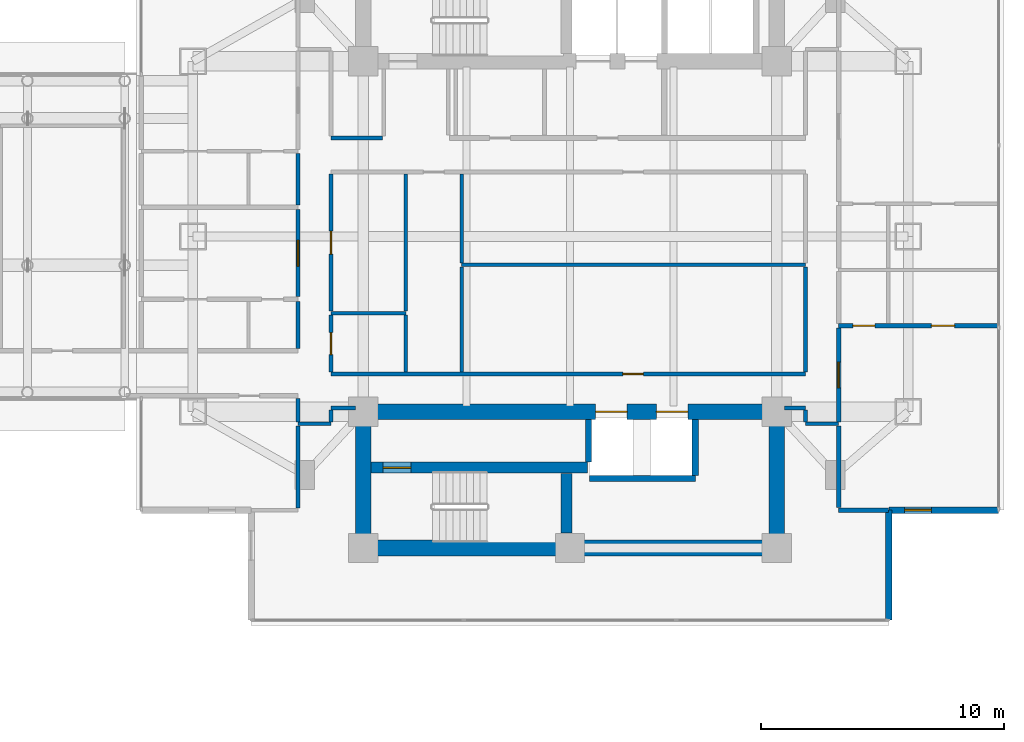
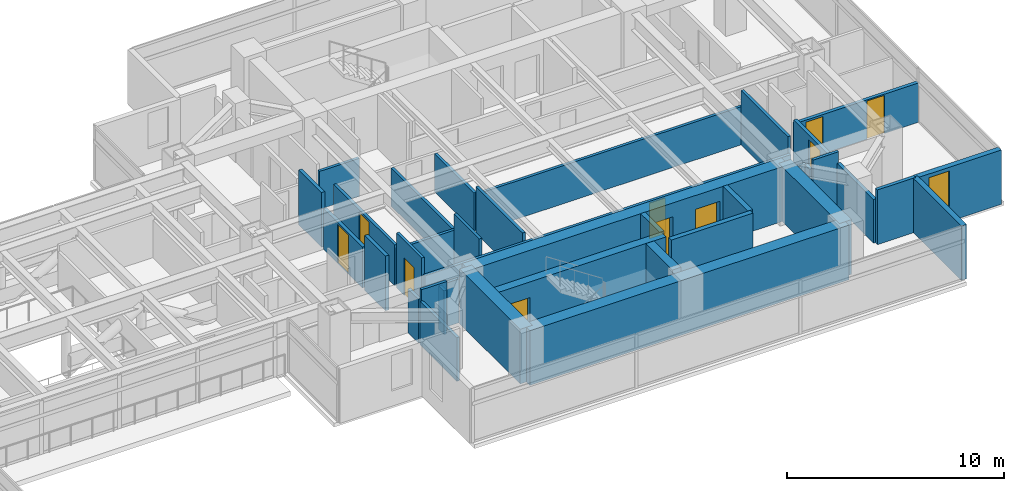
# One storey, part 19 of 27: 37 walls, 10 doors, 1 window, 11 openings.
"""IFC4 building model written with IfcOpenShell, lengths in metres."""

from ifc_helpers import new_model, si_unit, direction, frame, frame_2d, origin, place, context, subcontext, project, spatial, rectangle, extrude, material, layer, layer_set, type_object, element, fill, save


model = new_model("IFC4")

# Units and contexts
model_context = context("Model", 3, precision=1e-05, world=origin(), true_north=direction((0.0, 1.0)))
body_context = subcontext(model_context, "Body", "Model", "MODEL_VIEW")
ifc_project = project(units=[si_unit("LENGTHUNIT", "METRE"), si_unit("AREAUNIT", "SQUARE_METRE"), si_unit("VOLUMEUNIT", "CUBIC_METRE"), si_unit("PLANEANGLEUNIT", "RADIAN"), si_unit("MASSUNIT", "GRAM", prefix="KILO")], contexts=[model_context])

# Site, building, storey
site_placement = place(None, origin())
site = spatial("IfcSite", under=ifc_project, at=site_placement, CompositionType="ELEMENT")
building_placement = place(site_placement, origin())
building = spatial("IfcBuilding", under=site, at=building_placement, Name="Mirazonda Arch Towers", CompositionType="ELEMENT")
storey_placement = place(building_placement, frame((0.0, 0.0, 95.0)))
storey = spatial("IfcBuildingStorey", under=building, at=storey_placement, Name="L26", CompositionType="ELEMENT", Elevation=95.0)

# Wall, opening, door
ifc_material_1 = material(Name="Concrete C50/60", Category="concrete")
ifc_layer_1 = layer(ifc_material_1, 0.449951171875, Name="WALL-CORE-450")
ifc_layer_set_1 = layer_set([ifc_layer_1], Name="Concrete C50/60")
wall_type_1 = type_object("IfcWallType", Name="WALL-CORE-450", PredefinedType="SHEAR", material=ifc_layer_set_1)
wall_1_placement = place(storey_placement, frame((68.320068359375, 18.5, 0.0), z_axis=(0.0, 0.0, 1.0), x_axis=(1.0, 0.0, 0.0)))
wall_1 = element("IfcWall", 1, at=wall_1_placement, inside=storey, type_object=wall_type_1, Name="L26 Stair Core Shear Wall 014", PredefinedType="SHEAR", context=body_context, shape_type="SweptSolid", body=[
    extrude(rectangle(XDim=8.89990234375, YDim=0.449951171875, at=frame_2d((4.449951171875, 0.0))), origin(), (0.0, 0.0, 1.0), 3.080078125),
])
opening_1_placement = place(wall_1_placement, frame((0.4951171875, 0.0, 0.0)))
opening_1 = element("IfcOpeningElement", 2, at=opening_1_placement, cuts=wall_1, Name="Opening DR-135", PredefinedType="OPENING", context=body_context, shape_type="SweptSolid", body=[
    extrude(rectangle(XDim=1.14990234375, YDim=2.199951171875, at=frame_2d((0.574951171875, 1.10009765625))), frame((0.0, 0.23486328125, 0.0), z_axis=(0.0, -1.0, 0.0), x_axis=(1.0, 0.0, 0.0)), (0.0, 0.0, 1.0), 0.469970703125),
])
ifc_material_2 = material(Name="Architectural Brushed Steel S355", Category="steel")
door_type_1 = type_object("IfcDoorType", Name="DOOR-STAIR-FD90-1150", OperationType="NOTDEFINED", PredefinedType="DOOR", material=ifc_material_2)
door_1_placement = place(opening_1_placement, origin())
door_1 = element("IfcDoor", 3, at=door_1_placement, inside=storey, type_object=door_type_1, Name="L26 East Protected Stair South Door", OperationType="SINGLE_SWING_LEFT", OverallHeight=2.199951171875, OverallWidth=1.14990234375, PredefinedType="DOOR", context=body_context, shape_type="SweptSolid", body=[
    extrude(rectangle(XDim=1.14990234375, YDim=2.199951171875, at=frame_2d((0.574951171875, 1.10009765625))), frame((0.0, 0.02490234375, 0.0), z_axis=(0.0, -1.0, 0.0), x_axis=(1.0, 0.0, 0.0)), (0.0, 0.0, 1.0), 0.050048828125),
])
fill(opening_1, door_1)

# Walls
wall_2_placement = place(storey_placement, frame((76.360107421875, 15.81494140625, 0.0), z_axis=(0.0, 0.0, 1.0), x_axis=(0.0, 1.0, 0.0)))
element("IfcWall", 4, at=wall_2_placement, inside=storey, type_object=wall_type_1, Name="L26 Stair Core Shear Wall 160", PredefinedType="SHEAR", context=body_context, shape_type="SweptSolid", body=[
    extrude(rectangle(XDim=2.449951171875, YDim=0.449951171875, at=frame_2d((1.22509765625, 0.0))), origin(), (0.0, 0.0, 1.0), 3.080078125),
])
ifc_material_3 = material(Name="Concrete C60/75", Category="concrete")
ifc_layer_2 = layer(ifc_material_3, 0.64990234375, Name="WALL-CORE-650")
ifc_layer_set_2 = layer_set([ifc_layer_2], Name="Concrete C60/75")
wall_type_2 = type_object("IfcWallType", Name="WALL-CORE-650", PredefinedType="SHEAR", material=ifc_layer_set_2)
wall_3_placement = place(storey_placement, frame((68.0, 15.199951171875, 0.0), z_axis=(0.0, 0.0, 1.0), x_axis=(1.0, 0.0, 0.0)))
element("IfcWall", 5, at=wall_3_placement, inside=storey, type_object=wall_type_2, Name="L26 T2S-S Core Shear Wall", PredefinedType="SHEAR", context=body_context, shape_type="SweptSolid", body=[
    extrude(rectangle(XDim=17.0, YDim=0.64990234375, at=frame_2d((8.5, 0.0))), origin(), (0.0, 0.0, 1.0), 3.080078125),
])
for number, where, z_axis, x_axis, name in (
    (6, (68.0, 15.199951171875, 0.0), (0.0, 0.0, 1.0), (0.0, 1.0, 0.0), "L26 T2S-W Core Shear Wall"),
    (7, (85.0, 15.199951171875, 0.0), (0.0, 0.0, 1.0), (0.0, 1.0, 0.0), "L26 T2S-E Core Shear Wall"),
):
    element("IfcWall", number, at=place(storey_placement, frame(where, z_axis=z_axis, x_axis=x_axis)), inside=storey, type_object=wall_type_2, Name=name, PredefinedType="SHEAR", context=body_context, shape_type="SweptSolid", body=[
        extrude(rectangle(XDim=5.60009765625, YDim=0.64990234375, at=frame_2d((2.800048828125, 0.0))), origin(), (0.0, 0.0, 1.0), 3.080078125),
    ])

# Wall, openings, doors
wall_4_placement = place(storey_placement, frame((68.0, 20.800048828125, 0.0), z_axis=(0.0, 0.0, 1.0), x_axis=(1.0, 0.0, 0.0)))
wall_4 = element("IfcWall", 8, at=wall_4_placement, inside=storey, type_object=wall_type_2, Name="L26 T2S-N Core Shear Wall", PredefinedType="SHEAR", context=body_context, shape_type="SweptSolid", body=[
    extrude(rectangle(XDim=17.0, YDim=0.64990234375, at=frame_2d((8.5, 0.0))), origin(), (0.0, 0.0, 1.0), 3.080078125),
])
opening_2_placement = place(wall_4_placement, frame((9.550048828125, 0.0, 0.0)))
opening_2 = element("IfcOpeningElement", 9, at=opening_2_placement, cuts=wall_4, Name="Opening LD-111", PredefinedType="OPENING", context=body_context, shape_type="SweptSolid", body=[
    extrude(rectangle(XDim=1.300048828125, YDim=2.300048828125, at=frame_2d((0.64990234375, 1.14990234375))), frame((0.0, 0.3349609375, 0.0), z_axis=(0.0, -1.0, 0.0), x_axis=(1.0, 0.0, 0.0)), (0.0, 0.0, 1.0), 0.669921875),
])
opening_3_placement = place(wall_4_placement, frame((12.050048828125, 0.0, 0.0)))
opening_3 = element("IfcOpeningElement", 10, at=opening_3_placement, cuts=wall_4, Name="Opening LD-111", PredefinedType="OPENING", context=body_context, shape_type="SweptSolid", body=[
    extrude(rectangle(XDim=1.300048828125, YDim=2.300048828125, at=frame_2d((0.64990234375, 1.14990234375))), frame((0.0, 0.3349609375, 0.0), z_axis=(0.0, -1.0, 0.0), x_axis=(1.0, 0.0, 0.0)), (0.0, 0.0, 1.0), 0.669921875),
])
door_type_2 = type_object("IfcDoorType", Name="DOOR-LIFT-LAND-1300", OperationType="NOTDEFINED", PredefinedType="DOOR", material=ifc_material_2)
door_2_placement = place(opening_2_placement, origin())
door_2 = element("IfcDoor", 11, at=door_2_placement, inside=storey, type_object=door_type_2, Name="L26 Lift Landing Sliding Door PL-T2H1", OperationType="DOUBLE_DOOR_SLIDING", OverallHeight=2.300048828125, OverallWidth=1.300048828125, PredefinedType="DOOR", context=body_context, shape_type="SweptSolid", body=[
    extrude(rectangle(XDim=1.300048828125, YDim=2.300048828125, at=frame_2d((0.64990234375, 1.14990234375))), frame((0.0, 0.02490234375, 0.0), z_axis=(0.0, -1.0, 0.0), x_axis=(1.0, 0.0, 0.0)), (0.0, 0.0, 1.0), 0.050048828125),
])
fill(opening_2, door_2)
door_3_placement = place(opening_3_placement, origin())
door_3 = element("IfcDoor", 12, at=door_3_placement, inside=storey, type_object=door_type_2, Name="L26 Lift Landing Sliding Door PL-T2H2", OperationType="DOUBLE_DOOR_SLIDING", OverallHeight=2.300048828125, OverallWidth=1.300048828125, PredefinedType="DOOR", context=body_context, shape_type="SweptSolid", body=[
    extrude(rectangle(XDim=1.300048828125, YDim=2.300048828125, at=frame_2d((0.64990234375, 1.14990234375))), frame((0.0, 0.02490234375, 0.0), z_axis=(0.0, -1.0, 0.0), x_axis=(1.0, 0.0, 0.0)), (0.0, 0.0, 1.0), 0.050048828125),
])
fill(opening_3, door_3)

# Wall, opening, window
ifc_material_4 = material(Name="Precast Concrete C40/50", Category="concrete")
ifc_layer_3 = layer(ifc_material_4, 0.280029296875, Name="WALL-EXT-WALL-280")
ifc_layer_set_3 = layer_set([ifc_layer_3], Name="Precast Concrete C40/50")
wall_type_3 = type_object("IfcWallType", Name="WALL-EXT-WALL-280", PredefinedType="SOLIDWALL", material=ifc_layer_set_3)
wall_5_placement = place(storey_placement, frame((89.602294921875, 16.752197265625, 0.0), z_axis=(0.0, 0.0, 1.0), x_axis=(1.0, 0.0, 0.0)))
wall_5 = element("IfcWall", 13, at=wall_5_placement, inside=storey, type_object=wall_type_3, Name="L26 T2 Corner Notch Return Wall WL-L26-T2-CSE1", PredefinedType="SOLIDWALL", context=body_context, shape_type="SweptSolid", body=[
    extrude(rectangle(XDim=4.51611328125, YDim=0.280029296875, at=frame_2d((2.258056640625, 0.0))), origin(), (0.0, 0.0, 1.0), 3.06005859375),
])
opening_4_placement = place(wall_5_placement, frame((0.64990234375, 0.0, 0.85009765625)))
opening_4 = element("IfcOpeningElement", 14, at=opening_4_placement, cuts=wall_5, Name="Opening WN-108", PredefinedType="OPENING", context=body_context, shape_type="SweptSolid", body=[
    extrude(rectangle(XDim=1.10009765625, YDim=2.0, at=frame_2d((0.550048828125, 1.0))), frame((0.0, 0.14990234375, 0.0), z_axis=(0.0, -1.0, 0.0), x_axis=(1.0, 0.0, 0.0)), (0.0, 0.0, 1.0), 0.300048828125),
])
ifc_material_5 = material(Name="Insulated Low-E Solar Glass", Category="glass")
window_type = type_object("IfcWindowType", Name="WIN-NOTCH-1100x2000", PartitioningType="SINGLE_PANEL", PredefinedType="WINDOW", material=ifc_material_5)
window_placement = place(opening_4_placement, origin())
window = element("IfcWindow", 15, at=window_placement, inside=storey, type_object=window_type, Name="L26 Punched Facade Window WN-L26-T2-CSE1", OverallHeight=2.0, OverallWidth=1.10009765625, PartitioningType="SINGLE_PANEL", PredefinedType="WINDOW", context=body_context, shape_type="SweptSolid", body=[
    extrude(rectangle(XDim=1.10009765625, YDim=2.0, at=frame_2d((0.550048828125, 1.0))), frame((0.0, 0.030029296875, 0.0), z_axis=(0.0, -1.0, 0.0), x_axis=(1.0, 0.0, 0.0)), (0.0, 0.0, 1.0), 0.06005859375),
])
fill(opening_4, window)

# Walls
wall_6_placement = place(storey_placement, frame((89.602294921875, 12.23583984375, 0.0), z_axis=(0.0, 0.0, 1.0), x_axis=(0.0, 1.0, 0.0)))
element("IfcWall", 16, at=wall_6_placement, inside=storey, type_object=wall_type_3, Name="L26 T2 Corner Notch Return Wall WL-L26-T2-CSE2", PredefinedType="SOLIDWALL", context=body_context, shape_type="SweptSolid", body=[
    extrude(rectangle(XDim=4.516357421875, YDim=0.280029296875, at=frame_2d((2.25830078125, 0.0))), origin(), (0.0, 0.0, 1.0), 3.06005859375),
])
ifc_material_6 = material(Name="Fire-Rated Gypsum Stud Partition")
ifc_layer_4 = layer(ifc_material_6, 0.14990234375, Name="WALL-PART-CORR-150")
ifc_layer_set_4 = layer_set([ifc_layer_4], Name="Fire-Rated Gypsum Stud Partition")
wall_type_4 = type_object("IfcWallType", Name="WALL-PART-CORR-150", PredefinedType="PARTITIONING", material=ifc_layer_set_4)
wall_7_placement = place(storey_placement, frame((65.320068359375, 20.300048828125, 0.0), z_axis=(0.0, 0.0, 1.0), x_axis=(1.0, 0.0, 0.0)))
element("IfcWall", 17, at=wall_7_placement, inside=storey, type_object=wall_type_4, Name="L26 Interior Partition 017", PredefinedType="PARTITIONING", context=body_context, shape_type="SweptSolid", body=[
    extrude(rectangle(XDim=1.35986328125, YDim=0.14990234375, at=frame_2d((0.679931640625, 0.0))), origin(), (0.0, 0.0, 1.0), 3.080078125),
])
wall_8_placement = place(storey_placement, frame((86.179931640625, 20.300048828125, 0.0), z_axis=(0.0, 0.0, 1.0), x_axis=(1.0, 0.0, 0.0)))
element("IfcWall", 18, at=wall_8_placement, inside=storey, type_object=wall_type_4, Name="L26 Interior Partition 018", PredefinedType="PARTITIONING", context=body_context, shape_type="SweptSolid", body=[
    extrude(rectangle(XDim=1.360107421875, YDim=0.14990234375, at=frame_2d((0.68017578125, 0.0))), origin(), (0.0, 0.0, 1.0), 3.080078125),
])
wall_9_placement = place(storey_placement, frame((66.679931640625, 20.949951171875, 0.0), z_axis=(0.0, 0.0, 1.0), x_axis=(1.0, 0.0, 0.0)))
element("IfcWall", 19, at=wall_9_placement, inside=storey, type_object=wall_type_4, Name="L26 Interior Partition 020", PredefinedType="PARTITIONING", context=body_context, shape_type="SweptSolid", body=[
    extrude(rectangle(XDim=1.0, YDim=0.14990234375, at=frame_2d((0.5, 0.0))), origin(), (0.0, 0.0, 1.0), 2.471923828125),
])
wall_10_placement = place(storey_placement, frame((85.320068359375, 20.949951171875, 0.0), z_axis=(0.0, 0.0, 1.0), x_axis=(1.0, 0.0, 0.0)))
element("IfcWall", 20, at=wall_10_placement, inside=storey, type_object=wall_type_4, Name="L26 Interior Partition 021", PredefinedType="PARTITIONING", context=body_context, shape_type="SweptSolid", body=[
    extrude(rectangle(XDim=0.85986328125, YDim=0.14990234375, at=frame_2d((0.429931640625, 0.0))), origin(), (0.0, 0.0, 1.0), 2.471923828125),
])

# Wall, opening, door
wall_11_placement = place(storey_placement, frame((66.679931640625, 22.35009765625, 0.0), z_axis=(0.0, 0.0, 1.0), x_axis=(1.0, 0.0, 0.0)))
wall_11 = element("IfcWall", 21, at=wall_11_placement, inside=storey, type_object=wall_type_4, Name="L26 Interior Partition 024", PredefinedType="PARTITIONING", context=body_context, shape_type="SweptSolid", body=[
    extrude(rectangle(XDim=19.5, YDim=0.14990234375, at=frame_2d((9.75, 0.0))), origin(), (0.0, 0.0, 1.0), 2.14501953125),
])
opening_5_placement = place(wall_11_placement, frame((11.989990234375, 0.0, 0.0)))
opening_5 = element("IfcOpeningElement", 22, at=opening_5_placement, cuts=wall_11, Name="Opening DR-128", PredefinedType="OPENING", context=body_context, shape_type="SweptSolid", body=[
    extrude(rectangle(XDim=0.85009765625, YDim=2.010009765625, at=frame_2d((0.425048828125, 1.0048828125))), frame((0.0, 0.0849609375, 0.0), z_axis=(0.0, -1.0, 0.0), x_axis=(1.0, 0.0, 0.0)), (0.0, 0.0, 1.0), 0.169921875),
])
door_type_3 = type_object("IfcDoorType", Name="DOOR-RISER-FD60-850", OperationType="NOTDEFINED", PredefinedType="DOOR", material=ifc_material_2)
door_4_placement = place(opening_5_placement, origin())
door_4 = element("IfcDoor", 23, at=door_4_placement, inside=storey, type_object=door_type_3, Name="L26 Business Reading Study Door", OperationType="SINGLE_SWING_LEFT", OverallHeight=2.010009765625, OverallWidth=0.85009765625, PredefinedType="DOOR", context=body_context, shape_type="SweptSolid", body=[
    extrude(rectangle(XDim=0.85009765625, YDim=2.010009765625, at=frame_2d((0.425048828125, 1.0048828125))), frame((0.0, 0.02490234375, 0.0), z_axis=(0.0, -1.0, 0.0), x_axis=(1.0, 0.0, 0.0)), (0.0, 0.0, 1.0), 0.050048828125),
])
fill(opening_5, door_4)

# Walls
wall_12_placement = place(storey_placement, frame((66.679931640625, 24.85009765625, 0.0), z_axis=(0.0, 0.0, 1.0), x_axis=(1.0, 0.0, 0.0)))
element("IfcWall", 24, at=wall_12_placement, inside=storey, type_object=wall_type_4, Name="L26 Interior Partition 029", PredefinedType="PARTITIONING", context=body_context, shape_type="SweptSolid", body=[
    extrude(rectangle(XDim=3.070068359375, YDim=0.14990234375, at=frame_2d((1.53515625, 0.0))), origin(), (0.0, 0.0, 1.0), 2.14501953125),
])
wall_13_placement = place(storey_placement, frame((72.050048828125, 26.83203125, 0.0), z_axis=(0.0, 0.0, 1.0), x_axis=(1.0, 0.0, 0.0)))
element("IfcWall", 25, at=wall_13_placement, inside=storey, type_object=wall_type_4, Name="L26 Interior Partition 035", PredefinedType="PARTITIONING", context=body_context, shape_type="SweptSolid", body=[
    extrude(rectangle(XDim=14.1298828125, YDim=0.14990234375, at=frame_2d((7.06494140625, 0.0))), origin(), (0.0, 0.0, 1.0), 2.14501953125),
])
wall_14_placement = place(storey_placement, frame((66.679931640625, 32.050048828125, 0.0), z_axis=(0.0, 0.0, 1.0), x_axis=(1.0, 0.0, 0.0)))
element("IfcWall", 26, at=wall_14_placement, inside=storey, type_object=wall_type_4, Name="L26 Interior Partition 046", PredefinedType="PARTITIONING", context=body_context, shape_type="SweptSolid", body=[
    extrude(rectangle(XDim=2.1201171875, YDim=0.14990234375, at=frame_2d((1.06005859375, 0.0))), origin(), (0.0, 0.0, 1.0), 2.14501953125),
])
wall_15_placement = place(storey_placement, frame((65.320068359375, 16.8369140625, 0.0), z_axis=(0.0, 0.0, 1.0), x_axis=(0.0, 1.0, 0.0)))
element("IfcWall", 27, at=wall_15_placement, inside=storey, type_object=wall_type_4, Name="L26 Interior Partition 141", PredefinedType="PARTITIONING", context=body_context, shape_type="SweptSolid", body=[
    extrude(rectangle(XDim=3.378173828125, YDim=0.14990234375, at=frame_2d((1.68896484375, 0.0))), origin(), (0.0, 0.0, 1.0), 2.4560546875),
])
wall_16_placement = place(storey_placement, frame((65.320068359375, 20.385009765625, 0.0), z_axis=(0.0, 0.0, 1.0), x_axis=(0.0, 1.0, 0.0)))
element("IfcWall", 28, at=wall_16_placement, inside=storey, type_object=wall_type_4, Name="L26 Interior Partition 142", PredefinedType="PARTITIONING", context=body_context, shape_type="SweptSolid", body=[
    extrude(rectangle(XDim=0.965087890625, YDim=0.14990234375, at=frame_2d((0.482421875, 0.0))), origin(), (0.0, 0.0, 1.0), 2.471923828125),
])
wall_17_placement = place(storey_placement, frame((66.679931640625, 20.385009765625, 0.0), z_axis=(0.0, 0.0, 1.0), x_axis=(0.0, 1.0, 0.0)))
element("IfcWall", 29, at=wall_17_placement, inside=storey, type_object=wall_type_4, Name="L26 Interior Partition 148", PredefinedType="PARTITIONING", context=body_context, shape_type="SweptSolid", body=[
    extrude(rectangle(XDim=0.47998046875, YDim=0.14990234375, at=frame_2d((0.239990234375, 0.0))), origin(), (0.0, 0.0, 1.0), 2.471923828125),
])

# Wall, opening, door
wall_18_placement = place(storey_placement, frame((66.679931640625, 22.43505859375, 0.0), z_axis=(0.0, 0.0, 1.0), x_axis=(0.0, 1.0, 0.0)))
wall_18 = element("IfcWall", 30, at=wall_18_placement, inside=storey, type_object=wall_type_4, Name="L26 Interior Partition 149", PredefinedType="PARTITIONING", context=body_context, shape_type="SweptSolid", body=[
    extrude(rectangle(XDim=2.329833984375, YDim=0.14990234375, at=frame_2d((1.1650390625, 0.0))), origin(), (0.0, 0.0, 1.0), 3.080078125),
])
opening_6_placement = place(wall_18_placement, frame((0.715087890625, 0.0, 0.0)))
opening_6 = element("IfcOpeningElement", 31, at=opening_6_placement, cuts=wall_18, Name="Opening DR-120", PredefinedType="OPENING", context=body_context, shape_type="SweptSolid", body=[
    extrude(rectangle(XDim=0.89990234375, YDim=2.10009765625, at=frame_2d((0.449951171875, 1.050048828125))), frame((0.0, 0.0849609375, 0.0), z_axis=(0.0, -1.0, 0.0), x_axis=(1.0, 0.0, 0.0)), (0.0, 0.0, 1.0), 0.169921875),
])
door_type_4 = type_object("IfcDoorType", Name="DOOR-WC-900", OperationType="NOTDEFINED", PredefinedType="DOOR", material=ifc_material_2)
door_5_placement = place(opening_6_placement, origin())
door_5 = element("IfcDoor", 32, at=door_5_placement, inside=storey, type_object=door_type_4, Name="L26 Tower 2 Common Accessible WC Door", OperationType="SINGLE_SWING_RIGHT", OverallHeight=2.10009765625, OverallWidth=0.89990234375, PredefinedType="DOOR", context=body_context, shape_type="SweptSolid", body=[
    extrude(rectangle(XDim=0.89990234375, YDim=2.10009765625, at=frame_2d((0.449951171875, 1.050048828125))), frame((0.0, 0.02490234375, 0.0), z_axis=(0.0, -1.0, 0.0), x_axis=(1.0, 0.0, 0.0)), (0.0, 0.0, 1.0), 0.050048828125),
])
fill(opening_6, door_5)

wall_19_placement = place(storey_placement, frame((66.679931640625, 24.93505859375, 0.0), z_axis=(0.0, 0.0, 1.0), x_axis=(0.0, 1.0, 0.0)))
wall_19 = element("IfcWall", 33, at=wall_19_placement, inside=storey, type_object=wall_type_4, Name="L26 Interior Partition 150", PredefinedType="PARTITIONING", context=body_context, shape_type="SweptSolid", body=[
    extrude(rectangle(XDim=5.6298828125, YDim=0.14990234375, at=frame_2d((2.81494140625, 0.0))), origin(), (0.0, 0.0, 1.0), 2.299072265625),
])
opening_7_placement = place(wall_19_placement, frame((2.340087890625, 0.0, 0.0)))
opening_7 = element("IfcOpeningElement", 34, at=opening_7_placement, cuts=wall_19, Name="Opening DR-104", PredefinedType="OPENING", context=body_context, shape_type="SweptSolid", body=[
    extrude(rectangle(XDim=0.949951171875, YDim=2.14990234375, at=frame_2d((0.47509765625, 1.074951171875))), frame((0.0, 0.0849609375, 0.0), z_axis=(0.0, -1.0, 0.0), x_axis=(1.0, 0.0, 0.0)), (0.0, 0.0, 1.0), 0.169921875),
])
door_type_5 = type_object("IfcDoorType", Name="DOOR-ROOM-950", OperationType="NOTDEFINED", PredefinedType="DOOR", material=ifc_material_2)
door_6_placement = place(opening_7_placement, origin())
door_6 = element("IfcDoor", 35, at=door_6_placement, inside=storey, type_object=door_type_5, Name="L26 L26 East Courtyard Reading Study Door", OperationType="SINGLE_SWING_LEFT", OverallHeight=2.14990234375, OverallWidth=0.949951171875, PredefinedType="DOOR", context=body_context, shape_type="SweptSolid", body=[
    extrude(rectangle(XDim=0.949951171875, YDim=2.14990234375, at=frame_2d((0.47509765625, 1.074951171875))), frame((0.0, 0.02490234375, 0.0), z_axis=(0.0, -1.0, 0.0), x_axis=(1.0, 0.0, 0.0)), (0.0, 0.0, 1.0), 0.050048828125),
])
fill(opening_7, door_6)

# Walls
wall_20_placement = place(storey_placement, frame((69.743408203125, 22.43505859375, 0.0), z_axis=(0.0, 0.0, 1.0), x_axis=(0.0, 1.0, 0.0)))
element("IfcWall", 36, at=wall_20_placement, inside=storey, type_object=wall_type_4, Name="L26 Interior Partition 153", PredefinedType="PARTITIONING", context=body_context, shape_type="SweptSolid", body=[
    extrude(rectangle(XDim=2.329833984375, YDim=0.14990234375, at=frame_2d((1.1650390625, 0.0))), origin(), (0.0, 0.0, 1.0), 3.080078125),
])
wall_21_placement = place(storey_placement, frame((69.743408203125, 24.93505859375, 0.0), z_axis=(0.0, 0.0, 1.0), x_axis=(0.0, 1.0, 0.0)))
element("IfcWall", 37, at=wall_21_placement, inside=storey, type_object=wall_type_4, Name="L26 Interior Partition 154", PredefinedType="PARTITIONING", context=body_context, shape_type="SweptSolid", body=[
    extrude(rectangle(XDim=5.6298828125, YDim=0.14990234375, at=frame_2d((2.81494140625, 0.0))), origin(), (0.0, 0.0, 1.0), 2.14501953125),
])
wall_22_placement = place(storey_placement, frame((72.050048828125, 22.43505859375, 0.0), z_axis=(0.0, 0.0, 1.0), x_axis=(0.0, 1.0, 0.0)))
element("IfcWall", 38, at=wall_22_placement, inside=storey, type_object=wall_type_4, Name="L26 Interior Partition 157", PredefinedType="PARTITIONING", context=body_context, shape_type="SweptSolid", body=[
    extrude(rectangle(XDim=4.31201171875, YDim=0.14990234375, at=frame_2d((2.156005859375, 0.0))), origin(), (0.0, 0.0, 1.0), 2.60888671875),
])
wall_23_placement = place(storey_placement, frame((72.050048828125, 26.9169921875, 0.0), z_axis=(0.0, 0.0, 1.0), x_axis=(0.0, 1.0, 0.0)))
element("IfcWall", 39, at=wall_23_placement, inside=storey, type_object=wall_type_4, Name="L26 Interior Partition 158", PredefinedType="PARTITIONING", context=body_context, shape_type="SweptSolid", body=[
    extrude(rectangle(XDim=3.64794921875, YDim=0.14990234375, at=frame_2d((1.823974609375, 0.0))), origin(), (0.0, 0.0, 1.0), 2.14501953125),
])
wall_24_placement = place(storey_placement, frame((86.179931640625, 20.385009765625, 0.0), z_axis=(0.0, 0.0, 1.0), x_axis=(0.0, 1.0, 0.0)))
element("IfcWall", 40, at=wall_24_placement, inside=storey, type_object=wall_type_4, Name="L26 Interior Partition 167", PredefinedType="PARTITIONING", context=body_context, shape_type="SweptSolid", body=[
    extrude(rectangle(XDim=0.47998046875, YDim=0.14990234375, at=frame_2d((0.239990234375, 0.0))), origin(), (0.0, 0.0, 1.0), 2.471923828125),
])
wall_25_placement = place(storey_placement, frame((86.179931640625, 22.43505859375, 0.0), z_axis=(0.0, 0.0, 1.0), x_axis=(0.0, 1.0, 0.0)))
element("IfcWall", 41, at=wall_25_placement, inside=storey, type_object=wall_type_4, Name="L26 Interior Partition 168", PredefinedType="PARTITIONING", context=body_context, shape_type="SweptSolid", body=[
    extrude(rectangle(XDim=4.31201171875, YDim=0.14990234375, at=frame_2d((2.156005859375, 0.0))), origin(), (0.0, 0.0, 1.0), 3.080078125),
])
ifc_material_7 = material(Name="Fire-Rated Gypsum Twin-Stud Assembly")
ifc_layer_5 = layer(ifc_material_7, 0.179931640625, Name="WALL-PART-DEMISE-180")
ifc_layer_set_5 = layer_set([ifc_layer_5], Name="Fire-Rated Gypsum Twin-Stud Assembly")
wall_type_5 = type_object("IfcWallType", Name="WALL-PART-DEMISE-180", PredefinedType="PARTITIONING", material=ifc_layer_set_5)
wall_26_placement = place(storey_placement, frame((87.5400390625, 16.751953125, 0.0), z_axis=(0.0, 0.0, 1.0), x_axis=(1.0, 0.0, 0.0)))
element("IfcWall", 42, at=wall_26_placement, inside=storey, type_object=wall_type_5, Name="L26 Interior Partition 010", PredefinedType="PARTITIONING", context=body_context, shape_type="SweptSolid", body=[
    extrude(rectangle(XDim=2.042236328125, YDim=0.179931640625, at=frame_2d((1.02099609375, 0.0))), origin(), (0.0, 0.0, 1.0), 3.080078125),
])

# Wall, openings, doors
wall_27_placement = place(storey_placement, frame((87.5400390625, 24.33203125, 0.0), z_axis=(0.0, 0.0, 1.0), x_axis=(1.0, 0.0, 0.0)))
wall_27 = element("IfcWall", 43, at=wall_27_placement, inside=storey, type_object=wall_type_5, Name="L26 Interior Partition 028", PredefinedType="PARTITIONING", context=body_context, shape_type="SweptSolid", body=[
    extrude(rectangle(XDim=6.577880859375, YDim=0.179931640625, at=frame_2d((3.2890625, 0.0))), origin(), (0.0, 0.0, 1.0), 2.216064453125),
])
opening_8_placement = place(wall_27_placement, frame((3.81396484375, 0.0, 0.0)))
opening_8 = element("IfcOpeningElement", 44, at=opening_8_placement, cuts=wall_27, Name="Opening DR-104", PredefinedType="OPENING", context=body_context, shape_type="SweptSolid", body=[
    extrude(rectangle(XDim=0.949951171875, YDim=2.14990234375, at=frame_2d((0.47509765625, 1.074951171875))), frame((0.0, 0.099853515625, 0.0), z_axis=(0.0, -1.0, 0.0), x_axis=(1.0, 0.0, 0.0)), (0.0, 0.0, 1.0), 0.199951171875),
])
opening_9_placement = place(wall_27_placement, frame((0.590087890625, 0.0, 0.0)))
opening_9 = element("IfcOpeningElement", 45, at=opening_9_placement, cuts=wall_27, Name="Opening DR-120", PredefinedType="OPENING", context=body_context, shape_type="SweptSolid", body=[
    extrude(rectangle(XDim=0.89990234375, YDim=2.10009765625, at=frame_2d((0.449951171875, 1.050048828125))), frame((0.0, 0.099853515625, 0.0), z_axis=(0.0, -1.0, 0.0), x_axis=(1.0, 0.0, 0.0)), (0.0, 0.0, 1.0), 0.199951171875),
])
door_7_placement = place(opening_8_placement, origin())
door_7 = element("IfcDoor", 46, at=door_7_placement, inside=storey, type_object=door_type_5, Name="L26 Suite Bedroom 1 Door", OperationType="SINGLE_SWING_RIGHT", OverallHeight=2.14990234375, OverallWidth=0.949951171875, PredefinedType="DOOR", context=body_context, shape_type="SweptSolid", body=[
    extrude(rectangle(XDim=0.949951171875, YDim=2.14990234375, at=frame_2d((0.47509765625, 1.074951171875))), frame((0.0, 0.02490234375, 0.0), z_axis=(0.0, -1.0, 0.0), x_axis=(1.0, 0.0, 0.0)), (0.0, 0.0, 1.0), 0.050048828125),
])
fill(opening_8, door_7)
door_8_placement = place(opening_9_placement, origin())
door_8 = element("IfcDoor", 47, at=door_8_placement, inside=storey, type_object=door_type_4, Name="L26 Suite En-Suite Bathroom 1 Door", OperationType="SINGLE_SWING_LEFT", OverallHeight=2.10009765625, OverallWidth=0.89990234375, PredefinedType="DOOR", context=body_context, shape_type="SweptSolid", body=[
    extrude(rectangle(XDim=0.89990234375, YDim=2.10009765625, at=frame_2d((0.449951171875, 1.050048828125))), frame((0.0, 0.02490234375, 0.0), z_axis=(0.0, -1.0, 0.0), x_axis=(1.0, 0.0, 0.0)), (0.0, 0.0, 1.0), 0.050048828125),
])
fill(opening_9, door_8)

# Wall
wall_28_placement = place(storey_placement, frame((65.320068359375, 23.39990234375, 0.0), z_axis=(0.0, 0.0, 1.0), x_axis=(0.0, 1.0, 0.0)))
element("IfcWall", 48, at=wall_28_placement, inside=storey, type_object=wall_type_5, Name="L26 Interior Partition 143", PredefinedType="PARTITIONING", context=body_context, shape_type="SweptSolid", body=[
    extrude(rectangle(XDim=1.924072265625, YDim=0.179931640625, at=frame_2d((0.9619140625, 0.0))), origin(), (0.0, 0.0, 1.0), 3.080078125),
])

# Wall, opening, door
wall_29_placement = place(storey_placement, frame((65.320068359375, 25.52392578125, 0.0), z_axis=(0.0, 0.0, 1.0), x_axis=(0.0, 1.0, 0.0)))
wall_29 = element("IfcWall", 49, at=wall_29_placement, inside=storey, type_object=wall_type_5, Name="L26 Interior Partition 144", PredefinedType="PARTITIONING", context=body_context, shape_type="SweptSolid", body=[
    extrude(rectangle(XDim=3.576171875, YDim=0.179931640625, at=frame_2d((1.7880859375, 0.0))), origin(), (0.0, 0.0, 1.0), 2.299072265625),
])
opening_10_placement = place(wall_29_placement, frame((1.262939453125, 0.0, 0.0)))
opening_10 = element("IfcOpeningElement", 50, at=opening_10_placement, cuts=wall_29, Name="Opening DR-121", PredefinedType="OPENING", context=body_context, shape_type="SweptSolid", body=[
    extrude(rectangle(XDim=1.050048828125, YDim=2.199951171875, at=frame_2d((0.52490234375, 1.10009765625))), frame((0.0, 0.099853515625, 0.0), z_axis=(0.0, -1.0, 0.0), x_axis=(1.0, 0.0, 0.0)), (0.0, 0.0, 1.0), 0.199951171875),
])
door_type_6 = type_object("IfcDoorType", Name="DOOR-SUITE-FD60-1050", OperationType="NOTDEFINED", PredefinedType="DOOR", material=ifc_material_2)
door_9_placement = place(opening_10_placement, origin())
door_9 = element("IfcDoor", 51, at=door_9_placement, inside=storey, type_object=door_type_6, Name="L26 King Hotel Guestroom 1 Door", OperationType="SINGLE_SWING_LEFT", OverallHeight=2.199951171875, OverallWidth=1.050048828125, PredefinedType="DOOR", context=body_context, shape_type="SweptSolid", body=[
    extrude(rectangle(XDim=1.050048828125, YDim=2.199951171875, at=frame_2d((0.52490234375, 1.10009765625))), frame((0.0, 0.02490234375, 0.0), z_axis=(0.0, -1.0, 0.0), x_axis=(1.0, 0.0, 0.0)), (0.0, 0.0, 1.0), 0.050048828125),
])
fill(opening_10, door_9)

# Walls
wall_30_placement = place(storey_placement, frame((65.320068359375, 29.300048828125, 0.0), z_axis=(0.0, 0.0, 1.0), x_axis=(0.0, 1.0, 0.0)))
element("IfcWall", 52, at=wall_30_placement, inside=storey, type_object=wall_type_5, Name="L26 Interior Partition 145", PredefinedType="PARTITIONING", context=body_context, shape_type="SweptSolid", body=[
    extrude(rectangle(XDim=2.114990234375, YDim=0.179931640625, at=frame_2d((1.0576171875, 0.0))), origin(), (0.0, 0.0, 1.0), 3.080078125),
])
wall_31_placement = place(storey_placement, frame((87.5400390625, 16.85205078125, 0.0), z_axis=(0.0, 0.0, 1.0), x_axis=(0.0, 1.0, 0.0)))
element("IfcWall", 53, at=wall_31_placement, inside=storey, type_object=wall_type_5, Name="L26 Interior Partition 171", PredefinedType="PARTITIONING", context=body_context, shape_type="SweptSolid", body=[
    extrude(rectangle(XDim=3.363037109375, YDim=0.179931640625, at=frame_2d((1.681640625, 0.0))), origin(), (0.0, 0.0, 1.0), 2.4560546875),
])

# Wall, opening, door
wall_32_placement = place(storey_placement, frame((87.5400390625, 20.385009765625, 0.0), z_axis=(0.0, 0.0, 1.0), x_axis=(0.0, 1.0, 0.0)))
wall_32 = element("IfcWall", 54, at=wall_32_placement, inside=storey, type_object=wall_type_5, Name="L26 Interior Partition 172", PredefinedType="PARTITIONING", context=body_context, shape_type="SweptSolid", body=[
    extrude(rectangle(XDim=3.846923828125, YDim=0.179931640625, at=frame_2d((1.92333984375, 0.0))), origin(), (0.0, 0.0, 1.0), 2.471923828125),
])
opening_11_placement = place(wall_32_placement, frame((1.3984375, 0.0, 0.0)))
opening_11 = element("IfcOpeningElement", 55, at=opening_11_placement, cuts=wall_32, Name="Opening DR-121", PredefinedType="OPENING", context=body_context, shape_type="SweptSolid", body=[
    extrude(rectangle(XDim=1.050048828125, YDim=2.199951171875, at=frame_2d((0.52490234375, 1.10009765625))), frame((0.0, 0.099853515625, 0.0), z_axis=(0.0, -1.0, 0.0), x_axis=(1.0, 0.0, 0.0)), (0.0, 0.0, 1.0), 0.199951171875),
])
door_10_placement = place(opening_11_placement, origin())
door_10 = element("IfcDoor", 56, at=door_10_placement, inside=storey, type_object=door_type_6, Name="L26 Panoramic Suite Salon 1 Door", OperationType="SINGLE_SWING_LEFT", OverallHeight=2.199951171875, OverallWidth=1.050048828125, PredefinedType="DOOR", context=body_context, shape_type="SweptSolid", body=[
    extrude(rectangle(XDim=1.050048828125, YDim=2.199951171875, at=frame_2d((0.52490234375, 1.10009765625))), frame((0.0, 0.02490234375, 0.0), z_axis=(0.0, -1.0, 0.0), x_axis=(1.0, 0.0, 0.0)), (0.0, 0.0, 1.0), 0.050048828125),
])
fill(opening_11, door_10)

# Walls
ifc_material_8 = material(Name="Concrete C40/50", Category="concrete")
ifc_layer_6 = layer(ifc_material_8, 0.25, Name="WALL-SHAFT-250")
ifc_layer_set_6 = layer_set([ifc_layer_6], Name="Concrete C40/50")
wall_type_6 = type_object("IfcWallType", Name="WALL-SHAFT-250", PredefinedType="SOLIDWALL", material=ifc_layer_set_6)
wall_33_placement = place(storey_placement, frame((77.300048828125, 18.050048828125, 0.0), z_axis=(0.0, 0.0, 1.0), x_axis=(1.0, 0.0, 0.0)))
element("IfcWall", 57, at=wall_33_placement, inside=storey, type_object=wall_type_6, Name="L26 Interior Partition 011", PredefinedType="SOLIDWALL", context=body_context, shape_type="SweptSolid", body=[
    extrude(rectangle(XDim=4.349853515625, YDim=0.25, at=frame_2d((2.1748046875, 0.0))), origin(), (0.0, 0.0, 1.0), 3.080078125),
])
wall_34_placement = place(storey_placement, frame((77.260009765625, 18.735107421875, 0.0), z_axis=(0.0, 0.0, 1.0), x_axis=(0.0, 1.0, 0.0)))
element("IfcWall", 58, at=wall_34_placement, inside=storey, type_object=wall_type_6, Name="L26 Interior Partition 162", PredefinedType="SOLIDWALL", context=body_context, shape_type="SweptSolid", body=[
    extrude(rectangle(XDim=1.744873046875, YDim=0.25, at=frame_2d((0.87255859375, 0.0))), origin(), (0.0, 0.0, 1.0), 3.080078125),
])
wall_35_placement = place(storey_placement, frame((81.64990234375, 18.18505859375, 0.0), z_axis=(0.0, 0.0, 1.0), x_axis=(0.0, 1.0, 0.0)))
element("IfcWall", 59, at=wall_35_placement, inside=storey, type_object=wall_type_6, Name="L26 Interior Partition 165", PredefinedType="SOLIDWALL", context=body_context, shape_type="SweptSolid", body=[
    extrude(rectangle(XDim=2.294921875, YDim=0.25, at=frame_2d((1.1474609375, 0.0))), origin(), (0.0, 0.0, 1.0), 3.080078125),
])

save(model, "model.ifc")
